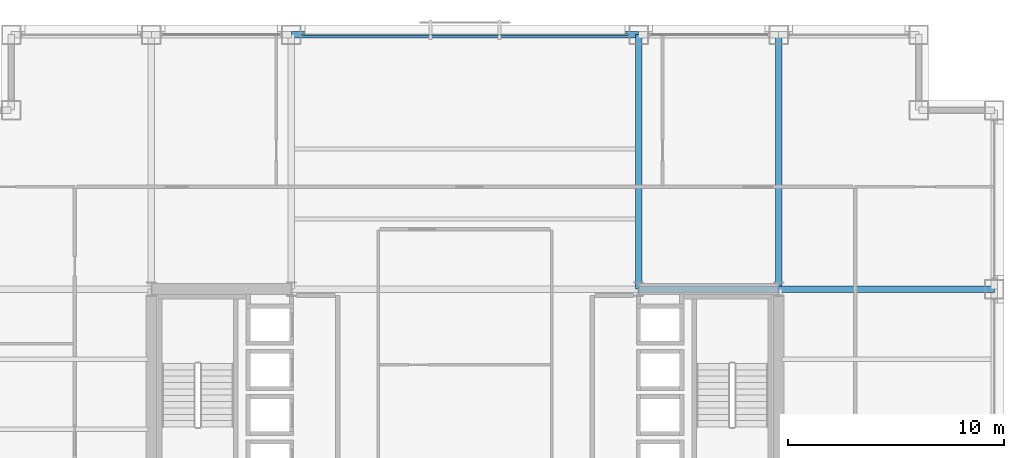
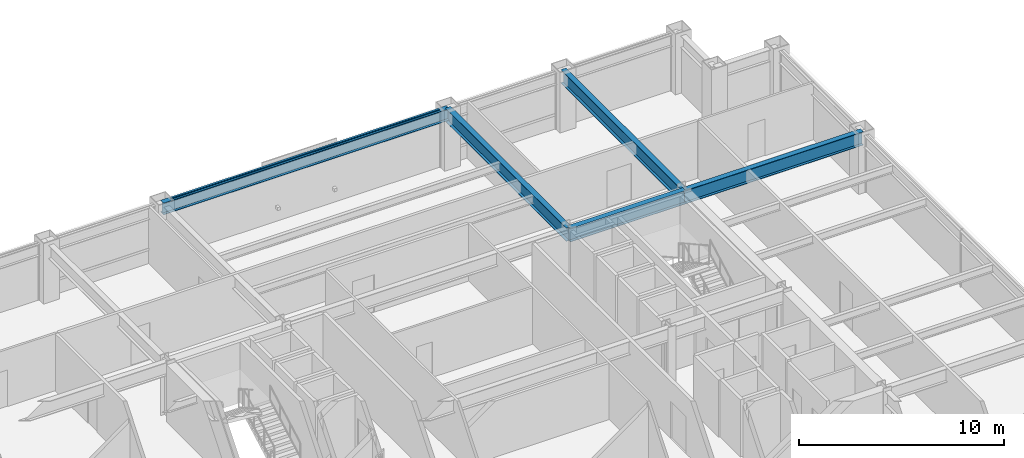
# One storey, part 20 of 30: 5 beams, 1 member, 1 element without a shape of its own.
"""IFC4 building model written with IfcOpenShell, lengths in metres."""

from ifc_helpers import new_model, si_unit, direction, frame, origin, origin_2d, place, context, subcontext, project, spatial, hollow_rectangle, i_section, extrude, material, layer, layer_set, material_profile, profile_set, type_object, element, aggregate, save


model = new_model("IFC4")

# Units and contexts
model_context = context("Model", 3, precision=1e-05, world=origin(), true_north=direction((0.0, 1.0)))
body_context = subcontext(model_context, "Body", "Model", "MODEL_VIEW")
ifc_project = project(units=[si_unit("LENGTHUNIT", "METRE"), si_unit("AREAUNIT", "SQUARE_METRE"), si_unit("VOLUMEUNIT", "CUBIC_METRE"), si_unit("PLANEANGLEUNIT", "RADIAN"), si_unit("MASSUNIT", "GRAM", prefix="KILO")], contexts=[model_context])

# Site, building, storey
site_placement = place(None, origin())
site = spatial("IfcSite", under=ifc_project, at=site_placement, CompositionType="ELEMENT")
building_placement = place(site_placement, origin())
building = spatial("IfcBuilding", under=site, at=building_placement, Name="Brelmoor Portico Tower", CompositionType="ELEMENT")
storey_placement = place(building_placement, frame((0.0, 0.0, 74.39990234375)))
storey = spatial("IfcBuildingStorey", under=building, at=storey_placement, Name="L19", CompositionType="ELEMENT", Elevation=74.39990234375)

# Beams
ifc_material_1 = material(Name="Steel Q355B", Category="steel")
ifc_material_profile_1 = material_profile(ifc_material_1, i_section(OverallWidth=0.300048828125, OverallDepth=0.800048828125, WebThickness=0.013916015625, FlangeThickness=0.02587890625, at=origin_2d()), Name="HN 800x300x14x26")
ifc_profile_set_1 = profile_set([ifc_material_profile_1], Name="Steel Q355B")
beam_type_1 = type_object("IfcBeamType", Name="BM-PG-800", PredefinedType="BEAM", material=ifc_profile_set_1)
for number, where, z_axis, x_axis, name in (
    (1, (8.050048828125, 9.75, 3.0), (0.0, 1.0, 0.0), (-1.0, 0.0, 0.0), "L19 Primary Floor Girder PG-10"),
    (2, (14.550048828125, 9.75, 3.0), (0.0, 1.0, 0.0), (-1.0, 0.0, 0.0), "L19 Primary Floor Girder PG-14"),
):
    element("IfcBeam", number, at=place(storey_placement, frame(where, z_axis=z_axis, x_axis=x_axis)), inside=storey, type_object=beam_type_1, Name=name, PredefinedType="BEAM", context=body_context, shape_type="SweptSolid", body=[
        extrude(i_section(OverallWidth=0.300048828125, OverallDepth=0.800048828125, WebThickness=0.013916015625, FlangeThickness=0.02587890625, at=origin_2d()), origin(), (0.0, 0.0, 1.0), 11.800048828125),
    ])
beam_1_placement = place(storey_placement, frame((8.050048828125, 9.75, 3.0), z_axis=(1.0, 0.0, 0.0), x_axis=(0.0, 1.0, 0.0)))
element("IfcBeam", 3, at=beam_1_placement, inside=storey, type_object=beam_type_1, Name="L19 Primary Floor Girder PG-30", PredefinedType="BEAM", context=body_context, shape_type="SweptSolid", body=[
    extrude(i_section(OverallWidth=0.300048828125, OverallDepth=0.800048828125, WebThickness=0.013916015625, FlangeThickness=0.02587890625, at=origin_2d()), origin(), (0.0, 0.0, 1.0), 6.5),
])
beam_2_placement = place(storey_placement, frame((14.550048828125, 9.75, 3.0), z_axis=(1.0, 0.0, 0.0), x_axis=(0.0, 1.0, 0.0)))
element("IfcBeam", 4, at=beam_2_placement, inside=storey, type_object=beam_type_1, Name="L19 Primary Floor Girder PG-31", PredefinedType="BEAM", context=body_context, shape_type="SweptSolid", body=[
    extrude(i_section(OverallWidth=0.300048828125, OverallDepth=0.800048828125, WebThickness=0.013916015625, FlangeThickness=0.02587890625, at=origin_2d()), origin(), (0.0, 0.0, 1.0), 10.0),
])
ifc_material_profile_2 = material_profile(ifc_material_1, i_section(OverallWidth=0.300048828125, OverallDepth=0.699951171875, WebThickness=0.012939453125, FlangeThickness=0.02392578125, at=origin_2d()), Name="HN 700x300x13x24")
ifc_profile_set_2 = profile_set([ifc_material_profile_2], Name="Steel Q355B")
beam_type_2 = type_object("IfcBeamType", Name="BM-SP-700", PredefinedType="SPANDREL", material=ifc_profile_set_2)
beam_3_placement = place(storey_placement, frame((-8.050048828125, 21.550048828125, 3.050048828125), z_axis=(1.0, 0.0, 0.0), x_axis=(0.0, 1.0, 0.0)))
element("IfcBeam", 5, at=beam_3_placement, inside=storey, type_object=beam_type_2, Name="L19 Perimeter Spandrel Beam SP-12", PredefinedType="SPANDREL", context=body_context, shape_type="SweptSolid", body=[
    extrude(i_section(OverallWidth=0.300048828125, OverallDepth=0.699951171875, WebThickness=0.012939453125, FlangeThickness=0.02392578125, at=origin_2d()), origin(), (0.0, 0.0, 1.0), 16.10009765625),
])

# Curtain wall, member
ifc_material_2 = material(Name="Anodised Aluminium Alloy 6063-T6", Category="aluminium")
ifc_layer = layer(ifc_material_2, 0.179931640625)
ifc_layer_set = layer_set([ifc_layer], Name="Anodised Aluminium Alloy 6063-T6")
curtain_wall_type = type_object("IfcCurtainWallType", Name="CW-TOWER-Z1-XB", PredefinedType="NOTDEFINED", material=ifc_layer_set)
curtain_wall_placement = place(storey_placement, origin())
curtain_wall = element("IfcCurtainWall", 6, at=curtain_wall_placement, inside=storey, type_object=curtain_wall_type, Name="L19 Curtain Wall CW-L19-02-3", PredefinedType="NOTDEFINED")
ifc_material_profile_3 = material_profile(ifc_material_2, hollow_rectangle(XDim=0.06494140625, YDim=0.139892578125, WallThickness=0.00390625, at=origin_2d()), Name="ALU TRANSOM 65x140")
ifc_profile_set_3 = profile_set([ifc_material_profile_3], Name="Anodised Aluminium Alloy 6063-T6")
member_type = type_object("IfcMemberType", Name="MB-CW-TRAN-140", PredefinedType="USERDEFINED", material=ifc_profile_set_3)
member_placement = place(storey_placement, frame((-7.590087890625, 21.550048828125, 3.330078125), z_axis=(1.0, 0.0, 0.0), x_axis=(0.0, 1.0, 0.0)))
member = element("IfcMember", 7, at=member_placement, type_object=member_type, Name="CW-L19-02-3 Transom 1-00", ObjectType="TRANSOM", PredefinedType="USERDEFINED", context=body_context, shape_type="SweptSolid", body=[
    extrude(hollow_rectangle(XDim=0.06494140625, YDim=0.139892578125, WallThickness=0.00390625, at=origin_2d()), origin(), (0.0, 0.0, 1.0), 15.18017578125),
])
aggregate(curtain_wall, [member])

save(model, "model.ifc")
